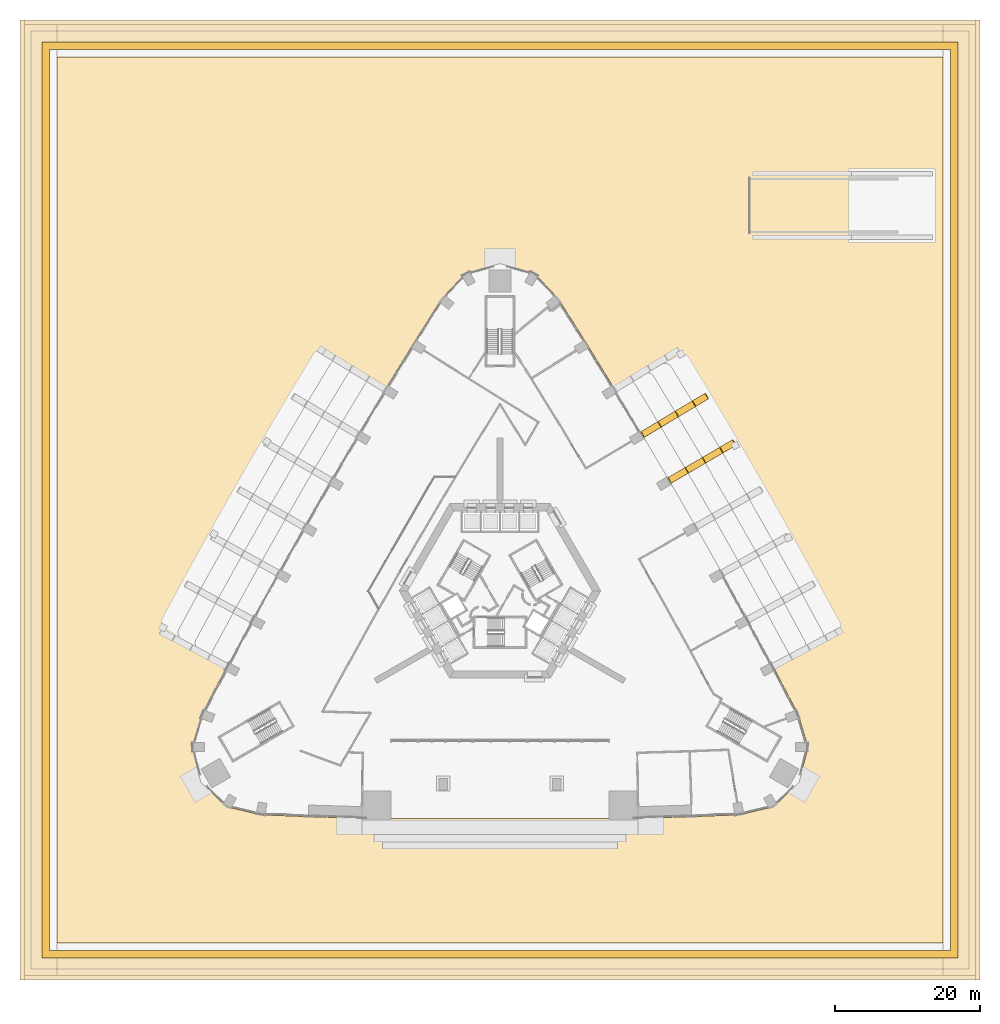
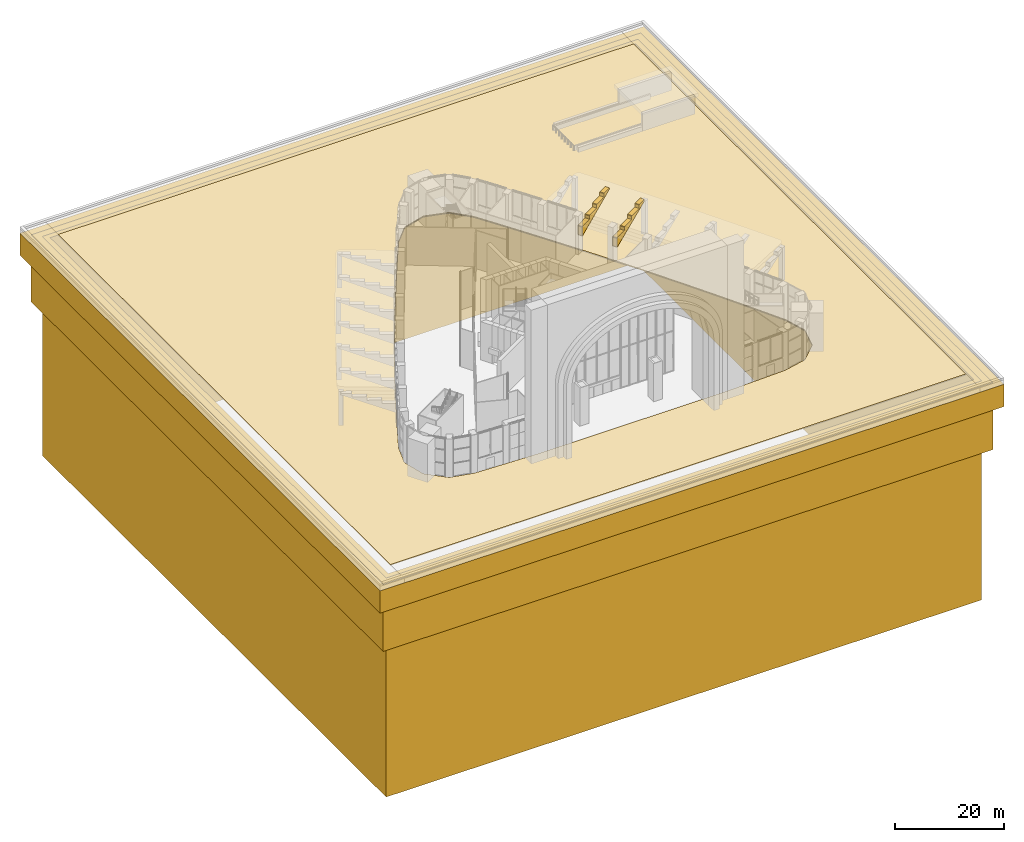
# One storey, part 33 of 36: 6 coverings.
"""IFC4 building model written with IfcOpenShell, lengths in metres."""

from ifc_helpers import new_model, si_unit, direction, frame, origin, place, context, subcontext, project, spatial, polyline, outline, extrude, material, layer, layer_set, type_object, element, save


model = new_model("IFC4")

# Units and contexts
model_context = context("Model", 3, precision=1e-05, world=origin(), true_north=direction((0.0, 1.0)))
body_context = subcontext(model_context, "Body", "Model", "MODEL_VIEW")
ifc_project = project(units=[si_unit("LENGTHUNIT", "METRE"), si_unit("AREAUNIT", "SQUARE_METRE"), si_unit("VOLUMEUNIT", "CUBIC_METRE"), si_unit("PLANEANGLEUNIT", "RADIAN"), si_unit("MASSUNIT", "GRAM", prefix="KILO")], contexts=[model_context])

# Site, building, storey
site_placement = place(None, origin())
site = spatial("IfcSite", under=ifc_project, at=site_placement, CompositionType="ELEMENT")
building_placement = place(site_placement, origin())
building = spatial("IfcBuilding", under=site, at=building_placement, Name="Entoto Arch Interchange Tower", CompositionType="ELEMENT")
storey_placement = place(building_placement, origin())
storey = spatial("IfcBuildingStorey", under=building, at=storey_placement, Name="L00", CompositionType="ELEMENT", Elevation=0.0)

# Coverings
ifc_material_1 = material(Name="Board-marked precast concrete C50/60", Category="concrete")
covering_type_1 = type_object("IfcCoveringType", Name="GROUND MASS BELOW APRON TO LEVEL -16.000", PredefinedType="CLADDING", material=ifc_material_1)
covering_1_placement = place(storey_placement, frame((0.0, 0.0, -16.0)))
element("IfcCovering", 1, at=covering_1_placement, inside=storey, type_object=covering_type_1, Name="Ground mass 2", PredefinedType="CLADDING", context=body_context, shape_type="SweptSolid", body=[
    extrude(outline(polyline([(-64.5, -49.5), (-64.5, 79.5), (64.5, 79.5), (64.5, -49.5), (-64.5, -49.5)]), holes=[polyline([(63.0, 78.0), (-63.0, 78.0), (-63.0, -48.0), (63.0, -48.0), (63.0, 78.0)])]), origin(), (0.0, 0.0, 1.0), 15.0),
])
covering_type_2 = type_object("IfcCoveringType", Name="GROUND MASS BELOW APRON TO LEVEL -50.000", PredefinedType="CLADDING", material=ifc_material_1)
covering_2_placement = place(storey_placement, frame((0.0, 0.0, -50.0)))
element("IfcCovering", 2, at=covering_2_placement, inside=storey, type_object=covering_type_2, Name="Ground mass 1", PredefinedType="CLADDING", context=body_context, shape_type="SweptSolid", body=[
    extrude(outline(polyline([(-63.0, -48.0), (-63.0, 78.0), (63.0, 78.0), (63.0, -48.0), (-63.0, -48.0)]), holes=[polyline([(61.949951171875, 76.949951171875), (-61.949951171875, 76.949951171875), (-61.949951171875, -46.949951171875), (61.949951171875, -46.949951171875), (61.949951171875, 76.949951171875)])]), origin(), (0.0, 0.0, 1.0), 49.0),
])
covering_type_3 = type_object("IfcCoveringType", Name="GROUND MASS BELOW APRON TO LEVEL -6.000", PredefinedType="CLADDING", material=ifc_material_1)
covering_3_placement = place(storey_placement, frame((0.0, 0.0, -6.0)))
element("IfcCovering", 3, at=covering_3_placement, inside=storey, type_object=covering_type_3, Name="Ground mass 3", PredefinedType="CLADDING", context=body_context, shape_type="SweptSolid", body=[
    extrude(outline(polyline([(-66.0, -51.0), (-66.0, 81.0), (66.0, 81.0), (66.0, -51.0), (-66.0, -51.0)]), holes=[polyline([(64.5, 79.5), (-64.5, 79.5), (-64.5, -49.5), (64.5, -49.5), (64.5, 79.5)])]), origin(), (0.0, 0.0, 1.0), 5.0),
])
ifc_material_2 = material(Name="Granite paving on mortar bed", Category="masonry")
ifc_layer = layer(ifc_material_2, 0.199951171875)
ifc_layer_set = layer_set([ifc_layer], Name="Granite paving on mortar bed")
covering_type_4 = type_object("IfcCoveringType", Name="PAVING GRANITE 200", PredefinedType="FLOORING", material=ifc_layer_set)
covering_4_placement = place(storey_placement, frame((0.0, 0.0, -0.199951171875)))
element("IfcCovering", 4, at=covering_4_placement, inside=storey, type_object=covering_type_4, Name="Plaza paving", PredefinedType="FLOORING", context=body_context, shape_type="SweptSolid", body=[
    extrude(outline(polyline([(-60.89990234375, -45.89990234375), (-60.89990234375, 75.89990234375), (60.89990234375, 75.89990234375), (60.89990234375, -45.89990234375), (-60.89990234375, -45.89990234375)]), holes=[polyline([(-26.376953125, -28.5400390625), (-19.0, -28.761962890625), (19.0, -28.761962890625), (26.376953125, -28.5400390625), (32.910888671875, -28.283935546875), (37.618896484375, -27.179931640625), (41.14697265625, -23.756103515625), (42.347900390625, -18.989013671875), (40.990966796875, -14.43798828125), (37.548095703125, -7.903076171875), (34.072998046875, -1.458984375), (30.535888671875, 4.949951171875), (26.93701171875, 11.325927734375), (23.277099609375, 17.6650390625), (19.554931640625, 23.969970703125), (15.77294921875, 30.238037109375), (11.929931640625, 36.469970703125), (7.991943359375, 42.718017578125), (4.72900390625, 46.1689453125), (0.0, 47.511962890625), (-4.72900390625, 46.1689453125), (-7.991943359375, 42.718017578125), (-11.929931640625, 36.469970703125), (-15.77294921875, 30.238037109375), (-19.554931640625, 23.969970703125), (-23.277099609375, 17.6650390625), (-26.93701171875, 11.325927734375), (-30.535888671875, 4.949951171875), (-34.072998046875, -1.458984375), (-37.548095703125, -7.903076171875), (-40.990966796875, -14.43798828125), (-42.347900390625, -18.989013671875), (-41.14697265625, -23.756103515625), (-37.618896484375, -27.179931640625), (-32.910888671875, -28.283935546875), (-26.376953125, -28.5400390625)])]), origin(), (0.0, 0.0, 1.0), 0.199951171875),
])
covering_type_5 = type_object("IfcCoveringType", Name="PRECAST FRAME COURSE", PredefinedType="CLADDING", material=ifc_material_1)
covering_5_placement = place(storey_placement, frame((23.68310546875, 17.381103515625, 3.0869140625), z_axis=(0.504308131682, -0.86351864462, 0.002976359014), x_axis=(-0.821386600627, -0.480760222674, -0.306909857458)))
element("IfcCovering", 5, at=covering_5_placement, inside=storey, type_object=covering_type_5, Name="Brow rib NE06", PredefinedType="CLADDING", context=body_context, shape_type="SweptSolid", body=[
    extrude(outline(polyline([(0.0, 0.0), (0.02943286892165763, 0.0), (0.05667460179357138, -0.0057066803343759544), (0.09762014162887236, -0.02634927240256574), (0.11943665747304302, -0.04492851715145948), (0.13883508157543117, -0.0678575014226453), (0.15726159506076187, -0.10868723631546434), (0.16254908163247128, -0.13758314649718256), (0.15912876272721535, -0.18162870126269123), (-0.40398206104812706, -1.9324191449934334), (-0.42288846461918816, -1.9724960623152257), (-0.45372679673998934, -2.0035947122787228), (-0.49384811464109013, -2.025287541076588), (-0.5349274899184047, -2.036152569376731), (-0.5651317361014749, -2.034879223377191), (-0.5946477659207369, -2.028438312263034), (-3.066776197275433, -1.2312405356430687), (-3.2730938537183443, -1.8634742840898024), (-3.2971378848890796, -1.8998427756565799), (-3.329750263461511, -1.929342819245592), (-3.3687718975515475, -1.9483124171093653), (-3.412240774839465, -1.9540469861024745), (-3.455760327958189, -1.9464256900549728), (-5.931434684017363, -1.148084712250391), (-6.13440694959384, -1.7813966098067522), (-6.158333607663336, -1.8178022918997492), (-6.192217613992898, -1.8468933650839252), (-6.233238082027819, -1.864961427325484), (-6.276781888480157, -1.8709283532360164), (-6.320301441598881, -1.8633070571885146), (-8.79263040679162, -1.0660442284935603), (-8.994302455040588, -1.6838718480600434), (-9.005292788715687, -1.7108531425286362), (-9.032682210752858, -1.7461434849857858), (-9.067665901054283, -1.7715447395386663), (-9.109836728570277, -1.7853932172390938), (-9.1521067392275, -1.7874100755534288), (-9.181497164373138, -1.7812665734316844), (-10.944063288898894, -1.2128845289363692), (-10.985108011553827, -1.1932364166128622), (-11.015490706761712, -1.163429685885169), (-11.038354063352154, -1.1245052512830074), (-11.050036951557427, -1.0820025425182447), (-11.04911354857239, -1.052799938420355), (-11.041971024458224, -1.0235508588724853), (-11.029709063025994, -0.9969785348087292), (-11.013473687359204, -0.9729714048166613), (-10.992226288766362, -0.9523752915871966), (-10.968607578444526, -0.9358779673938629), (-10.94213939135441, -0.9254311910335691), (-10.91359960919297, -0.9200126313791004), (0.0, 0.0)])), origin(), (0.0, 0.0, -1.0), 0.89990234375),
])
covering_6_placement = place(storey_placement, frame((19.965087890625, 23.69091796875, 3.0869140625), z_axis=(0.512971030482, -0.858400736087, 0.00298298017), x_axis=(-0.819673867285, -0.49085441964, -0.295290856632)))
element("IfcCovering", 6, at=covering_6_placement, inside=storey, type_object=covering_type_5, Name="Brow rib NE07", PredefinedType="CLADDING", context=body_context, shape_type="SweptSolid", body=[
    extrude(outline(polyline([(0.0, 0.0), (0.030589426177672383, 1.734723475976807e-18), (0.059296261812512505, -0.005805458300449288), (0.09840853982827388, -0.02530512410289991), (0.1228862657835112, -0.04436959755952728), (0.1404817779902106, -0.06641767599818427), (0.15851892446940882, -0.10674452267174506), (0.1642383547211631, -0.13560015074301834), (0.16127082817514038, -0.1796573874416343), (-0.3804372021953463, -1.9371889792611685), (-0.39905433072131974, -1.9774307623829517), (-0.42723017459147106, -2.009608213600283), (-0.46824475353146155, -2.031428994729806), (-0.508503653251377, -2.0430065623851608), (-0.5386045937616147, -2.0421357936116595), (-0.567311429396455, -2.0363303353112103), (-3.050481498817761, -1.2688442952368926), (-3.249099966095565, -1.9035388634697483), (-3.2704201648031397, -1.940902506865051), (-3.3039481182490067, -1.9704032583619189), (-3.3440975872574588, -1.98942500800173), (-3.3885712784370017, -1.9953558335458368), (-3.431696388649481, -1.9884154250271364), (-5.915946155160731, -1.2205971221037992), (-6.111204534117116, -1.8563296663731108), (-6.13468528655137, -1.8930239810009297), (-6.168213239997238, -1.9225247324977972), (-6.208410454016191, -1.9412768450935134), (-6.252956237690028, -1.9474409232617622), (-6.293681119166237, -1.9412426123504511), (-8.780211276908963, -1.1727185962396773), (-8.970999921219065, -1.7939894778121452), (-8.983058853866371, -1.8206721796287115), (-9.009899694622046, -1.856328518220074), (-9.044690558688094, -1.8821171297187669), (-9.085766823329049, -1.8967633659079297), (-9.129287150290128, -1.8988999077426838), (-9.158066078419264, -1.8933277020663772), (-10.927707300207539, -1.3463755816784722), (-10.968187645290424, -1.3274766635235729), (-11.00020718707406, -1.2976478368976583), (-11.021461927210568, -1.2596475611505142), (-11.032857484907908, -1.2175397570355901), (-11.032287603158112, -1.1883285445709264), (-11.028860590222482, -1.1579570243005577), (-11.016921495079973, -1.1312379380640385), (-10.99970238285604, -1.1074288041721259), (-10.978707529504938, -1.0865757659978996), (-10.955289790258249, -1.0697929879739827), (-10.927673421344561, -1.059418951656812), (-10.897722420822213, -1.0541104277095914), (0.0, 0.0)])), origin(), (0.0, 0.0, -1.0), 0.89990234375),
])

save(model, "model.ifc")
